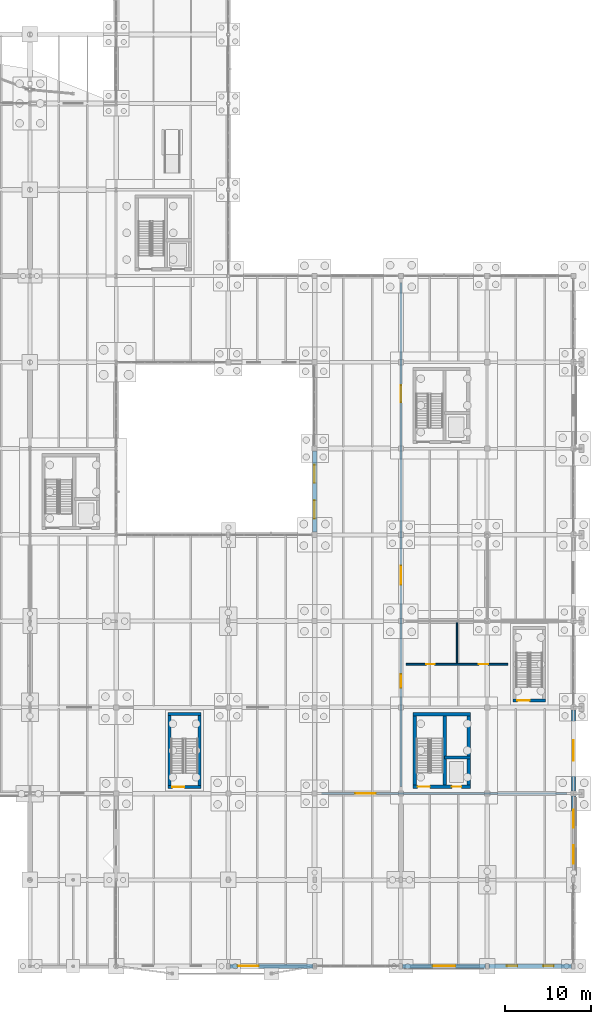
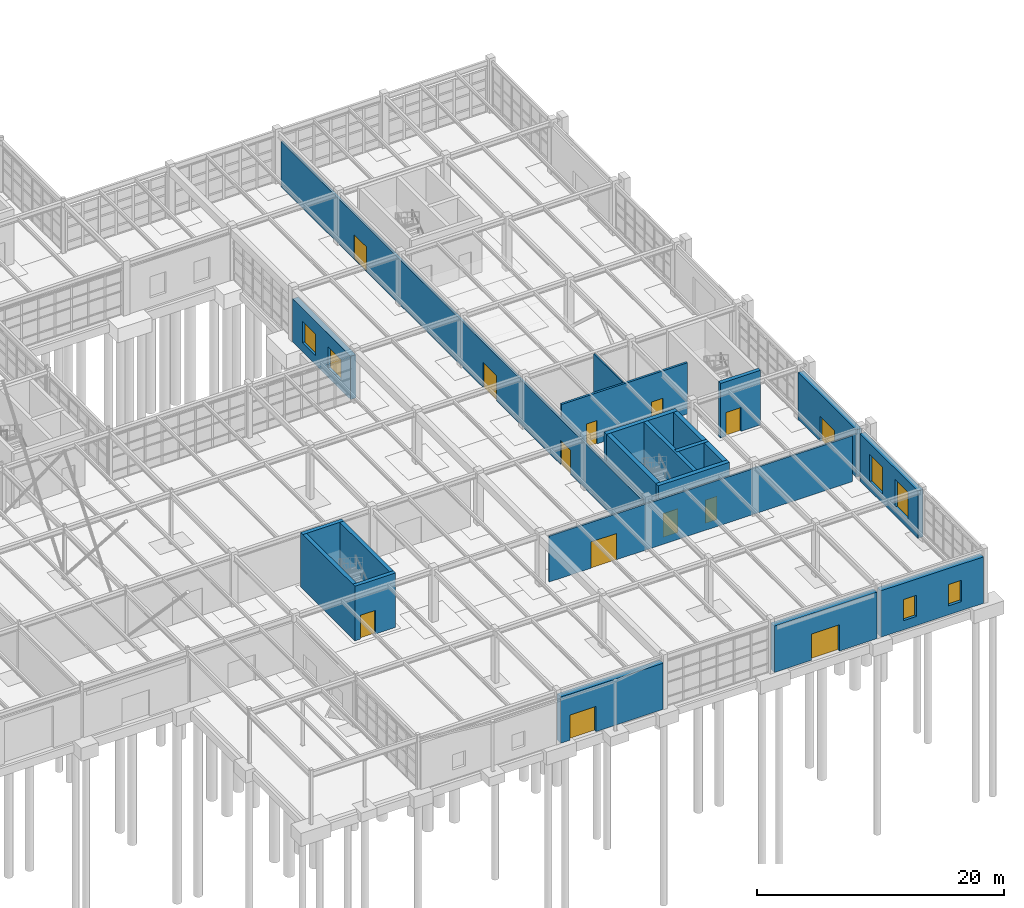
# One storey, part 126 of 145: 21 walls, 13 doors, 6 windows, 19 openings.
"""IFC4 building model written with IfcOpenShell, lengths in metres."""

from ifc_helpers import new_model, si_unit, direction, frame, frame_2d, origin, place, context, subcontext, project, spatial, rectangle, extrude, material, layer, layer_set, type_object, element, fill, save


model = new_model("IFC4")

# Units and contexts
model_context = context("Model", 3, precision=1e-05, world=origin(), true_north=direction((0.0, 1.0)))
body_context = subcontext(model_context, "Body", "Model", "MODEL_VIEW")
ifc_project = project(units=[si_unit("LENGTHUNIT", "METRE"), si_unit("AREAUNIT", "SQUARE_METRE"), si_unit("VOLUMEUNIT", "CUBIC_METRE"), si_unit("PLANEANGLEUNIT", "RADIAN"), si_unit("MASSUNIT", "GRAM", prefix="KILO"), si_unit("THERMODYNAMICTEMPERATUREUNIT", "KELVIN"), si_unit("POWERUNIT", "WATT")], contexts=[model_context])

# Site, building, storey
site_placement = place(None, origin())
site = spatial("IfcSite", under=ifc_project, at=site_placement, CompositionType="ELEMENT")
building_placement = place(site_placement, origin())
building = spatial("IfcBuilding", under=site, at=building_placement, Name="Korenveer Ferry Terminal", CompositionType="ELEMENT")
storey_placement = place(building_placement, origin())
storey = spatial("IfcBuildingStorey", under=building, at=storey_placement, Name="L00", CompositionType="ELEMENT", Elevation=0.0)

# Wall, openings, windows
ifc_material_1 = material(Name="Belgian bluestone plinth masonry", Category="masonry")
ifc_layer_1 = layer(ifc_material_1, 0.5)
ifc_layer_set_1 = layer_set([ifc_layer_1], Name="Belgian bluestone plinth masonry")
wall_type_1 = type_object("IfcWallType", Name="ENV-WL-STN500", PredefinedType="SOLIDWALL", material=ifc_layer_set_1)
wall_1_placement = place(storey_placement, frame((146.0, 50.300048828125, 0.0), z_axis=(0.0, 0.0, 1.0), x_axis=(0.0, 1.0, 0.0)))
wall_1 = element("IfcWall", 1, at=wall_1_placement, inside=storey, type_object=wall_type_1, Name="Exterior facade wall EWL-L00-030", PredefinedType="SOLIDWALL", context=body_context, shape_type="SweptSolid", body=[
    extrude(rectangle(XDim=9.39990234375, YDim=0.5, at=frame_2d((4.699951171875, 0.0))), origin(), (0.0, 0.0, 1.0), 4.2900390625),
])
opening_1_placement = place(wall_1_placement, frame((1.58203125, 0.0, 0.89990234375)))
opening_1 = element("IfcOpeningElement", 2, at=opening_1_placement, cuts=wall_1, Name="Opening WN-25", PredefinedType="OPENING", context=body_context, shape_type="SweptSolid", body=[
    extrude(rectangle(XDim=2.10009765625, YDim=2.10009765625, at=frame_2d((1.050048828125, 1.050048828125))), frame((0.0, 0.260009765625, 0.0), z_axis=(0.0, -1.0, 0.0), x_axis=(1.0, 0.0, 0.0)), (0.0, 0.0, 1.0), 0.52001953125),
])
opening_2_placement = place(wall_1_placement, frame((5.718017578125, 0.0, 0.89990234375)))
opening_2 = element("IfcOpeningElement", 3, at=opening_2_placement, cuts=wall_1, Name="Opening WN-25", PredefinedType="OPENING", context=body_context, shape_type="SweptSolid", body=[
    extrude(rectangle(XDim=2.10009765625, YDim=2.10009765625, at=frame_2d((1.050048828125, 1.050048828125))), frame((0.0, 0.260009765625, 0.0), z_axis=(0.0, -1.0, 0.0), x_axis=(1.0, 0.0, 0.0)), (0.0, 0.0, 1.0), 0.52001953125),
])
ifc_material_2 = material(Name="Low-iron triple glazing in bronze frame", Category="glass")
window_type_1 = type_object("IfcWindowType", Name="ENV-WN-25", PartitioningType="SINGLE_PANEL", PredefinedType="WINDOW", material=ifc_material_2)
window_1_placement = place(opening_1_placement, origin())
window_1 = element("IfcWindow", 4, at=window_1_placement, inside=storey, type_object=window_type_1, Name="Lancet facade window 25", OverallHeight=2.10009765625, OverallWidth=2.10009765625, PartitioningType="SINGLE_PANEL", PredefinedType="WINDOW", context=body_context, shape_type="SweptSolid", body=[
    extrude(rectangle(XDim=2.10009765625, YDim=2.10009765625, at=frame_2d((1.050048828125, 1.050048828125))), frame((0.0, 0.030029296875, 0.0), z_axis=(0.0, -1.0, 0.0), x_axis=(1.0, 0.0, 0.0)), (0.0, 0.0, 1.0), 0.06005859375),
])
fill(opening_1, window_1)
window_2_placement = place(opening_2_placement, origin())
window_2 = element("IfcWindow", 5, at=window_2_placement, inside=storey, type_object=window_type_1, Name="Lancet facade window 26", OverallHeight=2.10009765625, OverallWidth=2.10009765625, PartitioningType="SINGLE_PANEL", PredefinedType="WINDOW", context=body_context, shape_type="SweptSolid", body=[
    extrude(rectangle(XDim=2.10009765625, YDim=2.10009765625, at=frame_2d((1.050048828125, 1.050048828125))), frame((0.0, 0.030029296875, 0.0), z_axis=(0.0, -1.0, 0.0), x_axis=(1.0, 0.0, 0.0)), (0.0, 0.0, 1.0), 0.06005859375),
])
fill(opening_2, window_2)

wall_2_placement = place(storey_placement, frame((176.0, 19.699951171875, 0.0), z_axis=(0.0, 0.0, 1.0), x_axis=(0.0, -1.0, 0.0)))
wall_2 = element("IfcWall", 6, at=wall_2_placement, inside=storey, type_object=wall_type_1, Name="Exterior facade wall EWL-L00-031", PredefinedType="SOLIDWALL", context=body_context, shape_type="SweptSolid", body=[
    extrude(rectangle(XDim=9.375, YDim=0.5, at=frame_2d((4.6875, 0.0))), origin(), (0.0, 0.0, 1.0), 4.68994140625),
])
opening_3_placement = place(wall_2_placement, frame((1.574951171875, 0.0, 0.89990234375)))
opening_3 = element("IfcOpeningElement", 7, at=opening_3_placement, cuts=wall_2, Name="Opening WN-27", PredefinedType="OPENING", context=body_context, shape_type="SweptSolid", body=[
    extrude(rectangle(XDim=2.10009765625, YDim=2.699951171875, at=frame_2d((1.050048828125, 1.35009765625))), frame((0.0, 0.260009765625, 0.0), z_axis=(0.0, -1.0, 0.0), x_axis=(1.0, 0.0, 0.0)), (0.0, 0.0, 1.0), 0.52001953125),
])
opening_4_placement = place(wall_2_placement, frame((5.699951171875, 0.0, 0.89990234375)))
opening_4 = element("IfcOpeningElement", 8, at=opening_4_placement, cuts=wall_2, Name="Opening WN-27", PredefinedType="OPENING", context=body_context, shape_type="SweptSolid", body=[
    extrude(rectangle(XDim=2.10009765625, YDim=2.699951171875, at=frame_2d((1.050048828125, 1.35009765625))), frame((0.0, 0.260009765625, 0.0), z_axis=(0.0, -1.0, 0.0), x_axis=(1.0, 0.0, 0.0)), (0.0, 0.0, 1.0), 0.52001953125),
])
window_type_2 = type_object("IfcWindowType", Name="ENV-WN-27", PartitioningType="SINGLE_PANEL", PredefinedType="WINDOW", material=ifc_material_2)
window_3_placement = place(opening_3_placement, origin())
window_3 = element("IfcWindow", 9, at=window_3_placement, inside=storey, type_object=window_type_2, Name="Lancet facade window 27", OverallHeight=2.699951171875, OverallWidth=2.10009765625, PartitioningType="SINGLE_PANEL", PredefinedType="WINDOW", context=body_context, shape_type="SweptSolid", body=[
    extrude(rectangle(XDim=2.10009765625, YDim=2.699951171875, at=frame_2d((1.050048828125, 1.35009765625))), frame((0.0, 0.030029296875, 0.0), z_axis=(0.0, -1.0, 0.0), x_axis=(1.0, 0.0, 0.0)), (0.0, 0.0, 1.0), 0.06005859375),
])
fill(opening_3, window_3)
window_4_placement = place(opening_4_placement, origin())
window_4 = element("IfcWindow", 10, at=window_4_placement, inside=storey, type_object=window_type_2, Name="Lancet facade window 28", OverallHeight=2.699951171875, OverallWidth=2.10009765625, PartitioningType="SINGLE_PANEL", PredefinedType="WINDOW", context=body_context, shape_type="SweptSolid", body=[
    extrude(rectangle(XDim=2.10009765625, YDim=2.699951171875, at=frame_2d((1.050048828125, 1.35009765625))), frame((0.0, 0.030029296875, 0.0), z_axis=(0.0, -1.0, 0.0), x_axis=(1.0, 0.0, 0.0)), (0.0, 0.0, 1.0), 0.06005859375),
])
fill(opening_4, window_4)

# Wall, opening, door
wall_3_placement = place(storey_placement, frame((176.0, 29.699951171875, 0.0), z_axis=(0.0, 0.0, 1.0), x_axis=(0.0, -1.0, 0.0)))
wall_3 = element("IfcWall", 11, at=wall_3_placement, inside=storey, type_object=wall_type_1, Name="Exterior facade wall EWL-L00-032", PredefinedType="SOLIDWALL", context=body_context, shape_type="SweptSolid", body=[
    extrude(rectangle(XDim=9.39990234375, YDim=0.5, at=frame_2d((4.699951171875, 0.0))), origin(), (0.0, 0.0, 1.0), 4.68994140625),
])
opening_5_placement = place(wall_3_placement, frame((3.5, 0.0, 0.0)))
opening_5 = element("IfcOpeningElement", 12, at=opening_5_placement, cuts=wall_3, Name="Opening E11", PredefinedType="OPENING", context=body_context, shape_type="SweptSolid", body=[
    extrude(rectangle(XDim=2.39990234375, YDim=2.5, at=frame_2d((1.199951171875, 1.25))), frame((0.0, 0.260009765625, 0.0), z_axis=(0.0, -1.0, 0.0), x_axis=(1.0, 0.0, 0.0)), (0.0, 0.0, 1.0), 0.52001953125),
])
ifc_material_3 = material(Name="Thermally broken bronze glazed door", Category="aluminium")
door_type_1 = type_object("IfcDoorType", Name="ENV-DR-EXIT240", OperationType="DOUBLE_DOOR_SINGLE_SWING", PredefinedType="DOOR", material=ifc_material_3)
door_1_placement = place(opening_5_placement, origin())
door_1 = element("IfcDoor", 13, at=door_1_placement, inside=storey, type_object=door_type_1, Name="East Berth Apron Final Exit E11", OperationType="DOUBLE_DOOR_SINGLE_SWING", OverallHeight=2.5, OverallWidth=2.39990234375, PredefinedType="DOOR", context=body_context, shape_type="SweptSolid", body=[
    extrude(rectangle(XDim=2.39990234375, YDim=2.5, at=frame_2d((1.199951171875, 1.25))), frame((0.0, 0.02490234375, 0.0), z_axis=(0.0, -1.0, 0.0), x_axis=(1.0, 0.0, 0.0)), (0.0, 0.0, 1.0), 0.050048828125),
])
fill(opening_5, door_1)

ifc_material_4 = material(Name="Belgian bluestone flood-plinth masonry", Category="masonry")
ifc_layer_2 = layer(ifc_material_4, 0.56005859375)
ifc_layer_set_2 = layer_set([ifc_layer_2], Name="Belgian bluestone flood-plinth masonry")
wall_type_2 = type_object("IfcWallType", Name="ENV-WL-STN560", PredefinedType="SOLIDWALL", material=ifc_layer_set_2)
wall_4_placement = place(storey_placement, frame((136.199951171875, 0.0, 0.0), z_axis=(0.0, 0.0, 1.0), x_axis=(1.0, 0.0, 0.0)))
wall_4 = element("IfcWall", 14, at=wall_4_placement, inside=storey, type_object=wall_type_2, Name="Exterior facade wall EWL-L00-006", PredefinedType="SOLIDWALL", context=body_context, shape_type="SweptSolid", body=[
    extrude(rectangle(XDim=9.60009765625, YDim=0.56005859375, at=frame_2d((4.800048828125, 0.0))), origin(), (0.0, 0.0, 1.0), 4.580078125),
])
opening_6_placement = place(wall_4_placement, frame((0.89990234375, 0.0, 0.0)))
opening_6 = element("IfcOpeningElement", 15, at=opening_6_placement, cuts=wall_4, Name="Opening E07", PredefinedType="OPENING", context=body_context, shape_type="SweptSolid", body=[
    extrude(rectangle(XDim=2.39990234375, YDim=2.5, at=frame_2d((1.199951171875, 1.25))), frame((0.0, 0.2900390625, 0.0), z_axis=(0.0, -1.0, 0.0), x_axis=(1.0, 0.0, 0.0)), (0.0, 0.0, 1.0), 0.580078125),
])
door_2_placement = place(opening_6_placement, origin())
door_2 = element("IfcDoor", 16, at=door_2_placement, inside=storey, type_object=door_type_1, Name="Mobility Kiosk Entrance E07", OperationType="DOUBLE_DOOR_SINGLE_SWING", OverallHeight=2.5, OverallWidth=2.39990234375, PredefinedType="DOOR", context=body_context, shape_type="SweptSolid", body=[
    extrude(rectangle(XDim=2.39990234375, YDim=2.5, at=frame_2d((1.199951171875, 1.25))), frame((0.0, 0.02490234375, 0.0), z_axis=(0.0, -1.0, 0.0), x_axis=(1.0, 0.0, 0.0)), (0.0, 0.0, 1.0), 0.050048828125),
])
fill(opening_6, door_2)

wall_5_placement = place(storey_placement, frame((156.199951171875, 0.0, 0.0), z_axis=(0.0, 0.0, 1.0), x_axis=(1.0, 0.0, 0.0)))
wall_5 = element("IfcWall", 17, at=wall_5_placement, inside=storey, type_object=wall_type_2, Name="Exterior facade wall EWL-L00-007", PredefinedType="SOLIDWALL", context=body_context, shape_type="SweptSolid", body=[
    extrude(rectangle(XDim=9.60009765625, YDim=0.56005859375, at=frame_2d((4.800048828125, 0.0))), origin(), (0.0, 0.0, 1.0), 4.60009765625),
])
opening_7_placement = place(wall_5_placement, frame((3.5, 0.0, 0.0)))
opening_7 = element("IfcOpeningElement", 18, at=opening_7_placement, cuts=wall_5, Name="Opening E08", PredefinedType="OPENING", context=body_context, shape_type="SweptSolid", body=[
    extrude(rectangle(XDim=2.60009765625, YDim=2.60009765625, at=frame_2d((1.300048828125, 1.300048828125))), frame((0.0, 0.2900390625, 0.0), z_axis=(0.0, -1.0, 0.0), x_axis=(1.0, 0.0, 0.0)), (0.0, 0.0, 1.0), 0.580078125),
])
door_type_2 = type_object("IfcDoorType", Name="ENV-DR-EXIT260", OperationType="DOUBLE_DOOR_SINGLE_SWING", PredefinedType="DOOR", material=ifc_material_3)
door_3_placement = place(opening_7_placement, origin())
door_3 = element("IfcDoor", 19, at=door_3_placement, inside=storey, type_object=door_type_2, Name="Ticketing Hall Main Entrance E08", OperationType="DOUBLE_DOOR_SINGLE_SWING", OverallHeight=2.60009765625, OverallWidth=2.60009765625, PredefinedType="DOOR", context=body_context, shape_type="SweptSolid", body=[
    extrude(rectangle(XDim=2.60009765625, YDim=2.60009765625, at=frame_2d((1.300048828125, 1.300048828125))), frame((0.0, 0.02490234375, 0.0), z_axis=(0.0, -1.0, 0.0), x_axis=(1.0, 0.0, 0.0)), (0.0, 0.0, 1.0), 0.050048828125),
])
fill(opening_7, door_3)

# Wall, openings, windows
wall_6_placement = place(storey_placement, frame((166.199951171875, 0.0, 0.0), z_axis=(0.0, 0.0, 1.0), x_axis=(1.0, 0.0, 0.0)))
wall_6 = element("IfcWall", 20, at=wall_6_placement, inside=storey, type_object=wall_type_2, Name="Exterior facade wall EWL-L00-008", PredefinedType="SOLIDWALL", context=body_context, shape_type="SweptSolid", body=[
    extrude(rectangle(XDim=9.60009765625, YDim=0.56005859375, at=frame_2d((4.800048828125, 0.0))), origin(), (0.0, 0.0, 1.0), 4.60009765625),
])
opening_8_placement = place(wall_6_placement, frame((2.087890625, 0.0, 0.89990234375)))
opening_8 = element("IfcOpeningElement", 21, at=opening_8_placement, cuts=wall_6, Name="Opening WN-07", PredefinedType="OPENING", context=body_context, shape_type="SweptSolid", body=[
    extrude(rectangle(XDim=1.199951171875, YDim=2.10009765625, at=frame_2d((0.60009765625, 1.050048828125))), frame((0.0, 0.2900390625, 0.0), z_axis=(0.0, -1.0, 0.0), x_axis=(1.0, 0.0, 0.0)), (0.0, 0.0, 1.0), 0.580078125),
])
opening_9_placement = place(wall_6_placement, frame((6.31201171875, 0.0, 0.89990234375)))
opening_9 = element("IfcOpeningElement", 22, at=opening_9_placement, cuts=wall_6, Name="Opening WN-07", PredefinedType="OPENING", context=body_context, shape_type="SweptSolid", body=[
    extrude(rectangle(XDim=1.199951171875, YDim=2.10009765625, at=frame_2d((0.60009765625, 1.050048828125))), frame((0.0, 0.2900390625, 0.0), z_axis=(0.0, -1.0, 0.0), x_axis=(1.0, 0.0, 0.0)), (0.0, 0.0, 1.0), 0.580078125),
])
window_type_3 = type_object("IfcWindowType", Name="ENV-WN-07", PartitioningType="SINGLE_PANEL", PredefinedType="WINDOW", material=ifc_material_2)
window_5_placement = place(opening_8_placement, origin())
window_5 = element("IfcWindow", 23, at=window_5_placement, inside=storey, type_object=window_type_3, Name="Lancet facade window 7", OverallHeight=2.10009765625, OverallWidth=1.199951171875, PartitioningType="SINGLE_PANEL", PredefinedType="WINDOW", context=body_context, shape_type="SweptSolid", body=[
    extrude(rectangle(XDim=1.199951171875, YDim=2.10009765625, at=frame_2d((0.60009765625, 1.050048828125))), frame((0.0, 0.030029296875, 0.0), z_axis=(0.0, -1.0, 0.0), x_axis=(1.0, 0.0, 0.0)), (0.0, 0.0, 1.0), 0.06005859375),
])
fill(opening_8, window_5)
window_6_placement = place(opening_9_placement, origin())
window_6 = element("IfcWindow", 24, at=window_6_placement, inside=storey, type_object=window_type_3, Name="Lancet facade window 8", OverallHeight=2.10009765625, OverallWidth=1.199951171875, PartitioningType="SINGLE_PANEL", PredefinedType="WINDOW", context=body_context, shape_type="SweptSolid", body=[
    extrude(rectangle(XDim=1.199951171875, YDim=2.10009765625, at=frame_2d((0.60009765625, 1.050048828125))), frame((0.0, 0.030029296875, 0.0), z_axis=(0.0, -1.0, 0.0), x_axis=(1.0, 0.0, 0.0)), (0.0, 0.0, 1.0), 0.06005859375),
])
fill(opening_9, window_6)

# Wall, openings, doors
ifc_material_5 = material(Name="Acoustic fire-rated twin-stud partition", Category="other")
ifc_layer_3 = layer(ifc_material_5, 0.199951171875)
ifc_layer_set_3 = layer_set([ifc_layer_3], Name="Acoustic fire-rated twin-stud partition")
wall_type_3 = type_object("IfcWallType", Name="INT-WL-COMP200", PredefinedType="PARTITIONING", material=ifc_layer_set_3)
wall_7_placement = place(storey_placement, frame((156.0, 20.800048828125, 0.0), z_axis=(0.0, 0.0, 1.0), x_axis=(0.0, 1.0, 0.0)))
wall_7 = element("IfcWall", 25, at=wall_7_placement, inside=storey, type_object=wall_type_3, Name="Interior partition PWL-L00-018", PredefinedType="PARTITIONING", context=body_context, shape_type="SweptSolid", body=[
    extrude(rectangle(XDim=58.39990234375, YDim=0.199951171875, at=frame_2d((29.199951171875, 0.0))), origin(), (0.0, 0.0, 1.0), 4.489990234375),
])
opening_10_placement = place(wall_7_placement, frame((11.464111328125, 0.0, 0.0)))
opening_10 = element("IfcOpeningElement", 26, at=opening_10_placement, cuts=wall_7, Name="Opening ID-021", PredefinedType="OPENING", context=body_context, shape_type="SweptSolid", body=[
    extrude(rectangle(XDim=1.60009765625, YDim=2.39990234375, at=frame_2d((0.800048828125, 1.199951171875))), frame((0.0, 0.10986328125, 0.0), z_axis=(0.0, -1.0, 0.0), x_axis=(1.0, 0.0, 0.0)), (0.0, 0.0, 1.0), 0.219970703125),
])
opening_11_placement = place(wall_7_placement, frame((23.427978515625, 0.0, 0.0)))
opening_11 = element("IfcOpeningElement", 27, at=opening_11_placement, cuts=wall_7, Name="Opening ID-022", PredefinedType="OPENING", context=body_context, shape_type="SweptSolid", body=[
    extrude(rectangle(XDim=2.199951171875, YDim=2.5, at=frame_2d((1.10009765625, 1.25))), frame((0.0, 0.10986328125, 0.0), z_axis=(0.0, -1.0, 0.0), x_axis=(1.0, 0.0, 0.0)), (0.0, 0.0, 1.0), 0.219970703125),
])
opening_12_placement = place(wall_7_placement, frame((44.552001953125, 0.0, 0.0)))
opening_12 = element("IfcOpeningElement", 28, at=opening_12_placement, cuts=wall_7, Name="Opening ID-023", PredefinedType="OPENING", context=body_context, shape_type="SweptSolid", body=[
    extrude(rectangle(XDim=2.0, YDim=2.449951171875, at=frame_2d((1.0, 1.22509765625))), frame((0.0, 0.10986328125, 0.0), z_axis=(0.0, -1.0, 0.0), x_axis=(1.0, 0.0, 0.0)), (0.0, 0.0, 1.0), 0.219970703125),
])
ifc_material_6 = material(Name="Solid hardwood and steel acoustic door", Category="steel")
door_type_3 = type_object("IfcDoorType", Name="INT-DR-CON200", OperationType="DOUBLE_DOOR_SINGLE_SWING", PredefinedType="DOOR", material=ifc_material_6)
door_4_placement = place(opening_12_placement, origin())
door_4 = element("IfcDoor", 29, at=door_4_placement, inside=storey, type_object=door_type_3, Name="Passenger Information Lounge Door", OperationType="DOUBLE_DOOR_SINGLE_SWING", OverallHeight=2.449951171875, OverallWidth=2.0, PredefinedType="DOOR", context=body_context, shape_type="SweptSolid", body=[
    extrude(rectangle(XDim=2.0, YDim=2.449951171875, at=frame_2d((1.0, 1.22509765625))), frame((0.0, 0.02490234375, 0.0), z_axis=(0.0, -1.0, 0.0), x_axis=(1.0, 0.0, 0.0)), (0.0, 0.0, 1.0), 0.050048828125),
])
fill(opening_12, door_4)
door_type_4 = type_object("IfcDoorType", Name="INT-DR-CON220", OperationType="DOUBLE_DOOR_SINGLE_SWING", PredefinedType="DOOR", material=ifc_material_6)
door_5_placement = place(opening_11_placement, origin())
door_5 = element("IfcDoor", 30, at=door_5_placement, inside=storey, type_object=door_type_4, Name="Maritime Travel Shop Entrance", OperationType="DOUBLE_DOOR_SINGLE_SWING", OverallHeight=2.5, OverallWidth=2.199951171875, PredefinedType="DOOR", context=body_context, shape_type="SweptSolid", body=[
    extrude(rectangle(XDim=2.199951171875, YDim=2.5, at=frame_2d((1.10009765625, 1.25))), frame((0.0, 0.02490234375, 0.0), z_axis=(0.0, -1.0, 0.0), x_axis=(1.0, 0.0, 0.0)), (0.0, 0.0, 1.0), 0.050048828125),
])
fill(opening_11, door_5)
door_type_5 = type_object("IfcDoorType", Name="INT-DR-FFL160", OperationType="DOUBLE_DOOR_SINGLE_SWING", PredefinedType="DOOR", material=ifc_material_6)
door_6_placement = place(opening_10_placement, origin())
door_6 = element("IfcDoor", 31, at=door_6_placement, inside=storey, type_object=door_type_5, Name="L00 East Firefighting Lobby Door", OperationType="DOUBLE_DOOR_SINGLE_SWING", OverallHeight=2.39990234375, OverallWidth=1.60009765625, PredefinedType="DOOR", context=body_context, shape_type="SweptSolid", body=[
    extrude(rectangle(XDim=1.60009765625, YDim=2.39990234375, at=frame_2d((0.800048828125, 1.199951171875))), frame((0.0, 0.02490234375, 0.0), z_axis=(0.0, -1.0, 0.0), x_axis=(1.0, 0.0, 0.0)), (0.0, 0.0, 1.0), 0.050048828125),
])
fill(opening_10, door_6)

wall_8_placement = place(storey_placement, frame((156.60009765625, 35.0, 0.0), z_axis=(0.0, 0.0, 1.0), x_axis=(1.0, 0.0, 0.0)))
wall_8 = element("IfcWall", 32, at=wall_8_placement, inside=storey, type_object=wall_type_3, Name="Interior partition PWL-L00-020", PredefinedType="PARTITIONING", context=body_context, shape_type="SweptSolid", body=[
    extrude(rectangle(XDim=11.7998046875, YDim=0.199951171875, at=frame_2d((5.89990234375, 0.0))), origin(), (0.0, 0.0, 1.0), 5.06005859375),
])
opening_13_placement = place(wall_8_placement, frame((2.342041015625, 0.0, 0.0)))
opening_13 = element("IfcOpeningElement", 33, at=opening_13_placement, cuts=wall_8, Name="Opening ID-025", PredefinedType="OPENING", context=body_context, shape_type="SweptSolid", body=[
    extrude(rectangle(XDim=0.97998046875, YDim=2.300048828125, at=frame_2d((0.489990234375, 1.14990234375))), frame((0.0, 0.10986328125, 0.0), z_axis=(0.0, -1.0, 0.0), x_axis=(1.0, 0.0, 0.0)), (0.0, 0.0, 1.0), 0.219970703125),
])
opening_14_placement = place(wall_8_placement, frame((8.427978515625, 0.0, 0.0)))
opening_14 = element("IfcOpeningElement", 34, at=opening_14_placement, cuts=wall_8, Name="Opening ID-026", PredefinedType="OPENING", context=body_context, shape_type="SweptSolid", body=[
    extrude(rectangle(XDim=1.080078125, YDim=2.35009765625, at=frame_2d((0.5400390625, 1.175048828125))), frame((0.0, 0.10986328125, 0.0), z_axis=(0.0, -1.0, 0.0), x_axis=(1.0, 0.0, 0.0)), (0.0, 0.0, 1.0), 0.219970703125),
])
door_type_6 = type_object("IfcDoorType", Name="INT-DR-AWC108", OperationType="NOTDEFINED", PredefinedType="DOOR", material=ifc_material_6)
door_7_placement = place(opening_14_placement, origin())
door_7 = element("IfcDoor", 35, at=door_7_placement, inside=storey, type_object=door_type_6, Name="L00 East Accessible WC Door", OperationType="SINGLE_SWING_LEFT", OverallHeight=2.35009765625, OverallWidth=1.080078125, PredefinedType="DOOR", context=body_context, shape_type="SweptSolid", body=[
    extrude(rectangle(XDim=1.080078125, YDim=2.35009765625, at=frame_2d((0.5400390625, 1.175048828125))), frame((0.0, 0.02490234375, 0.0), z_axis=(0.0, -1.0, 0.0), x_axis=(1.0, 0.0, 0.0)), (0.0, 0.0, 1.0), 0.050048828125),
])
fill(opening_14, door_7)
door_type_7 = type_object("IfcDoorType", Name="INT-DR-WC098", OperationType="NOTDEFINED", PredefinedType="DOOR", material=ifc_material_6)
door_8_placement = place(opening_13_placement, origin())
door_8 = element("IfcDoor", 36, at=door_8_placement, inside=storey, type_object=door_type_7, Name="L00 East Public WC Door", OperationType="SINGLE_SWING_RIGHT", OverallHeight=2.300048828125, OverallWidth=0.97998046875, PredefinedType="DOOR", context=body_context, shape_type="SweptSolid", body=[
    extrude(rectangle(XDim=0.97998046875, YDim=2.300048828125, at=frame_2d((0.489990234375, 1.14990234375))), frame((0.0, 0.02490234375, 0.0), z_axis=(0.0, -1.0, 0.0), x_axis=(1.0, 0.0, 0.0)), (0.0, 0.0, 1.0), 0.050048828125),
])
fill(opening_13, door_8)

# Walls
ifc_material_7 = material(Name="Concrete C45/55", Category="concrete")
ifc_layer_4 = layer(ifc_material_7, 0.360107421875)
ifc_layer_set_4 = layer_set([ifc_layer_4], Name="Concrete C45/55")
wall_type_4 = type_object("IfcWallType", Name="INT-WL-CORE360", PredefinedType="SHEAR", material=ifc_layer_set_4)
wall_9_placement = place(storey_placement, frame((161.080078125, 20.60009765625, 0.0), z_axis=(0.0, 0.0, 1.0), x_axis=(0.0, 1.0, 0.0)))
element("IfcWall", 37, at=wall_9_placement, inside=storey, type_object=wall_type_4, Name="East Firefighting Core K3 shaft divider wall L00", PredefinedType="SHEAR", context=body_context, shape_type="SweptSolid", body=[
    extrude(rectangle(XDim=8.7998046875, YDim=0.360107421875, at=frame_2d((4.39990234375, 0.0))), origin(), (0.0, 0.0, 1.0), 5.39990234375),
])
wall_10_placement = place(storey_placement, frame((161.080078125, 24.179931640625, 0.0), z_axis=(0.0, 0.0, 1.0), x_axis=(1.0, 0.0, 0.0)))
element("IfcWall", 38, at=wall_10_placement, inside=storey, type_object=wall_type_4, Name="East Firefighting Core K3 lift shaft wall L00", PredefinedType="SHEAR", context=body_context, shape_type="SweptSolid", body=[
    extrude(rectangle(XDim=2.97998046875, YDim=0.360107421875, at=frame_2d((1.489990234375, 0.0))), origin(), (0.0, 0.0, 1.0), 5.39990234375),
])

# Wall, opening, door
wall_11_placement = place(storey_placement, frame((129.0, 20.780029296875, 0.0), z_axis=(0.0, 0.0, 1.0), x_axis=(1.0, 0.0, 0.0)))
wall_11 = element("IfcWall", 39, at=wall_11_placement, inside=storey, type_object=wall_type_4, Name="Arrivals East Stair Core K10 south shear wall L00", PredefinedType="SHEAR", context=body_context, shape_type="SweptSolid", body=[
    extrude(rectangle(XDim=3.820068359375, YDim=0.360107421875, at=frame_2d((1.91015625, 0.0))), origin(), (0.0, 0.0, 1.0), 5.39990234375),
])
opening_15_placement = place(wall_11_placement, frame((0.510009765625, 0.0, 0.0)))
opening_15 = element("IfcOpeningElement", 40, at=opening_15_placement, cuts=wall_11, Name="Opening SD-32", PredefinedType="OPENING", context=body_context, shape_type="SweptSolid", body=[
    extrude(rectangle(XDim=1.39990234375, YDim=2.35009765625, at=frame_2d((0.699951171875, 1.175048828125))), frame((0.0, 0.18994140625, 0.0), z_axis=(0.0, -1.0, 0.0), x_axis=(1.0, 0.0, 0.0)), (0.0, 0.0, 1.0), 0.380126953125),
])
door_type_8 = type_object("IfcDoorType", Name="INT-DR-ST140", OperationType="NOTDEFINED", PredefinedType="DOOR", material=ifc_material_6)
door_9_placement = place(opening_15_placement, origin())
door_9 = element("IfcDoor", 41, at=door_9_placement, inside=storey, type_object=door_type_8, Name="ST10 Stair Door L00", OperationType="SINGLE_SWING_RIGHT", OverallHeight=2.35009765625, OverallWidth=1.39990234375, PredefinedType="DOOR", context=body_context, shape_type="SweptSolid", body=[
    extrude(rectangle(XDim=1.39990234375, YDim=2.35009765625, at=frame_2d((0.699951171875, 1.175048828125))), frame((0.0, 0.02490234375, 0.0), z_axis=(0.0, -1.0, 0.0), x_axis=(1.0, 0.0, 0.0)), (0.0, 0.0, 1.0), 0.050048828125),
])
fill(opening_15, door_9)

# Walls
wall_12_placement = place(storey_placement, frame((129.0, 29.219970703125, 0.0), z_axis=(0.0, 0.0, 1.0), x_axis=(1.0, 0.0, 0.0)))
element("IfcWall", 42, at=wall_12_placement, inside=storey, type_object=wall_type_4, Name="Arrivals East Stair Core K10 north shear wall L00", PredefinedType="SHEAR", context=body_context, shape_type="SweptSolid", body=[
    extrude(rectangle(XDim=3.820068359375, YDim=0.360107421875, at=frame_2d((1.91015625, 0.0))), origin(), (0.0, 0.0, 1.0), 5.39990234375),
])
for number, where, z_axis, x_axis, name in (
    (43, (129.179931640625, 20.60009765625, 0.0), (0.0, 0.0, 1.0), (0.0, 1.0, 0.0), "Arrivals East Stair Core K10 west shear wall L00"),
    (44, (132.639892578125, 20.60009765625, 0.0), (0.0, 0.0, 1.0), (0.0, 1.0, 0.0), "Arrivals East Stair Core K10 east shear wall L00"),
):
    element("IfcWall", number, at=place(storey_placement, frame(where, z_axis=z_axis, x_axis=x_axis)), inside=storey, type_object=wall_type_4, Name=name, PredefinedType="SHEAR", context=body_context, shape_type="SweptSolid", body=[
        extrude(rectangle(XDim=8.7998046875, YDim=0.360107421875, at=frame_2d((4.39990234375, 0.0))), origin(), (0.0, 0.0, 1.0), 5.39990234375),
    ])

# Wall, opening, door
wall_13_placement = place(storey_placement, frame((169.0, 30.780029296875, 0.0), z_axis=(0.0, 0.0, 1.0), x_axis=(1.0, 0.0, 0.0)))
wall_13 = element("IfcWall", 45, at=wall_13_placement, inside=storey, type_object=wall_type_4, Name="Schengen South Stair Core K12 south shear wall L00", PredefinedType="SHEAR", context=body_context, shape_type="SweptSolid", body=[
    extrude(rectangle(XDim=3.760009765625, YDim=0.360107421875, at=frame_2d((1.8798828125, 0.0))), origin(), (0.0, 0.0, 1.0), 5.39990234375),
])
opening_16_placement = place(wall_13_placement, frame((0.510009765625, 0.0, 0.0)))
opening_16 = element("IfcOpeningElement", 46, at=opening_16_placement, cuts=wall_13, Name="Opening SD-39", PredefinedType="OPENING", context=body_context, shape_type="SweptSolid", body=[
    extrude(rectangle(XDim=1.39990234375, YDim=2.35009765625, at=frame_2d((0.699951171875, 1.175048828125))), frame((0.0, 0.18994140625, 0.0), z_axis=(0.0, -1.0, 0.0), x_axis=(1.0, 0.0, 0.0)), (0.0, 0.0, 1.0), 0.380126953125),
])
door_10_placement = place(opening_16_placement, origin())
door_10 = element("IfcDoor", 47, at=door_10_placement, inside=storey, type_object=door_type_8, Name="ST12 Stair Door L00", OperationType="SINGLE_SWING_LEFT", OverallHeight=2.35009765625, OverallWidth=1.39990234375, PredefinedType="DOOR", context=body_context, shape_type="SweptSolid", body=[
    extrude(rectangle(XDim=1.39990234375, YDim=2.35009765625, at=frame_2d((0.699951171875, 1.175048828125))), frame((0.0, 0.02490234375, 0.0), z_axis=(0.0, -1.0, 0.0), x_axis=(1.0, 0.0, 0.0)), (0.0, 0.0, 1.0), 0.050048828125),
])
fill(opening_16, door_10)

# Wall, openings, doors
ifc_layer_5 = layer(ifc_material_7, 0.39990234375)
ifc_layer_set_5 = layer_set([ifc_layer_5], Name="Concrete C45/55")
wall_type_5 = type_object("IfcWallType", Name="INT-WL-CORE400", PredefinedType="SHEAR", material=ifc_layer_set_5)
wall_14_placement = place(storey_placement, frame((157.39990234375, 20.800048828125, 0.0), z_axis=(0.0, 0.0, 1.0), x_axis=(1.0, 0.0, 0.0)))
wall_14 = element("IfcWall", 48, at=wall_14_placement, inside=storey, type_object=wall_type_5, Name="East Firefighting Core K3 south shear wall L00", PredefinedType="SHEAR", context=body_context, shape_type="SweptSolid", body=[
    extrude(rectangle(XDim=6.66015625, YDim=0.39990234375, at=frame_2d((3.330078125, 0.0))), origin(), (0.0, 0.0, 1.0), 5.39990234375),
])
opening_17_placement = place(wall_14_placement, frame((0.550048828125, 0.0, 0.0)))
opening_17 = element("IfcOpeningElement", 49, at=opening_17_placement, cuts=wall_14, Name="Opening SD-11", PredefinedType="OPENING", context=body_context, shape_type="SweptSolid", body=[
    extrude(rectangle(XDim=1.39990234375, YDim=2.35009765625, at=frame_2d((0.699951171875, 1.175048828125))), frame((0.0, 0.2099609375, 0.0), z_axis=(0.0, -1.0, 0.0), x_axis=(1.0, 0.0, 0.0)), (0.0, 0.0, 1.0), 0.419921875),
])
opening_18_placement = place(wall_14_placement, frame((4.510009765625, 0.0, 0.0)))
opening_18 = element("IfcOpeningElement", 50, at=opening_18_placement, cuts=wall_14, Name="Opening LD-11", PredefinedType="OPENING", context=body_context, shape_type="SweptSolid", body=[
    extrude(rectangle(XDim=1.10009765625, YDim=2.300048828125, at=frame_2d((0.550048828125, 1.14990234375))), frame((0.0, 0.2099609375, 0.0), z_axis=(0.0, -1.0, 0.0), x_axis=(1.0, 0.0, 0.0)), (0.0, 0.0, 1.0), 0.419921875),
])
door_type_9 = type_object("IfcDoorType", Name="INT-DR-LD110", OperationType="SLIDING_TO_LEFT", PredefinedType="DOOR", material=ifc_material_6)
door_11_placement = place(opening_18_placement, origin())
door_11 = element("IfcDoor", 51, at=door_11_placement, inside=storey, type_object=door_type_9, Name="Lift FL2 Sliding Landing Door L00", OperationType="SLIDING_TO_LEFT", OverallHeight=2.300048828125, OverallWidth=1.10009765625, PredefinedType="DOOR", context=body_context, shape_type="SweptSolid", body=[
    extrude(rectangle(XDim=1.10009765625, YDim=2.300048828125, at=frame_2d((0.550048828125, 1.14990234375))), frame((0.0, 0.02490234375, 0.0), z_axis=(0.0, -1.0, 0.0), x_axis=(1.0, 0.0, 0.0)), (0.0, 0.0, 1.0), 0.050048828125),
])
fill(opening_18, door_11)
door_12_placement = place(opening_17_placement, origin())
door_12 = element("IfcDoor", 52, at=door_12_placement, inside=storey, type_object=door_type_8, Name="ST03 Stair Door L00", OperationType="SINGLE_SWING_LEFT", OverallHeight=2.35009765625, OverallWidth=1.39990234375, PredefinedType="DOOR", context=body_context, shape_type="SweptSolid", body=[
    extrude(rectangle(XDim=1.39990234375, YDim=2.35009765625, at=frame_2d((0.699951171875, 1.175048828125))), frame((0.0, 0.02490234375, 0.0), z_axis=(0.0, -1.0, 0.0), x_axis=(1.0, 0.0, 0.0)), (0.0, 0.0, 1.0), 0.050048828125),
])
fill(opening_17, door_12)

# Walls
wall_15_placement = place(storey_placement, frame((157.39990234375, 29.199951171875, 0.0), z_axis=(0.0, 0.0, 1.0), x_axis=(1.0, 0.0, 0.0)))
element("IfcWall", 53, at=wall_15_placement, inside=storey, type_object=wall_type_5, Name="East Firefighting Core K3 north shear wall L00", PredefinedType="SHEAR", context=body_context, shape_type="SweptSolid", body=[
    extrude(rectangle(XDim=6.66015625, YDim=0.39990234375, at=frame_2d((3.330078125, 0.0))), origin(), (0.0, 0.0, 1.0), 5.39990234375),
])
for number, where, z_axis, x_axis, name in (
    (54, (157.60009765625, 20.60009765625, 0.0), (0.0, 0.0, 1.0), (0.0, 1.0, 0.0), "East Firefighting Core K3 west shear wall L00"),
    (55, (163.860107421875, 20.60009765625, 0.0), (0.0, 0.0, 1.0), (0.0, 1.0, 0.0), "East Firefighting Core K3 east shear wall L00"),
):
    element("IfcWall", number, at=place(storey_placement, frame(where, z_axis=z_axis, x_axis=x_axis)), inside=storey, type_object=wall_type_5, Name=name, PredefinedType="SHEAR", context=body_context, shape_type="SweptSolid", body=[
        extrude(rectangle(XDim=8.7998046875, YDim=0.39990234375, at=frame_2d((4.39990234375, 0.0))), origin(), (0.0, 0.0, 1.0), 5.39990234375),
    ])
ifc_material_8 = material(Name="Lightweight wet-room stud partition", Category="other")
ifc_layer_6 = layer(ifc_material_8, 0.1201171875)
ifc_layer_set_6 = layer_set([ifc_layer_6], Name="Lightweight wet-room stud partition")
wall_type_6 = type_object("IfcWallType", Name="INT-WL-PART120", PredefinedType="PARTITIONING", material=ifc_layer_set_6)
wall_16_placement = place(storey_placement, frame((162.5, 35.199951171875, 0.0), z_axis=(0.0, 0.0, 1.0), x_axis=(0.0, 1.0, 0.0)))
element("IfcWall", 56, at=wall_16_placement, inside=storey, type_object=wall_type_6, Name="Interior partition PWL-L00-021", PredefinedType="PARTITIONING", context=body_context, shape_type="SweptSolid", body=[
    extrude(rectangle(XDim=4.60009765625, YDim=0.1201171875, at=frame_2d((2.300048828125, 0.0))), origin(), (0.0, 0.0, 1.0), 5.06005859375),
])

# Wall, opening, door
ifc_material_9 = material(Name="Acoustic gypsum board stud partition", Category="other")
ifc_layer_7 = layer(ifc_material_9, 0.14990234375)
ifc_layer_set_7 = layer_set([ifc_layer_7], Name="Acoustic gypsum board stud partition")
wall_type_7 = type_object("IfcWallType", Name="INT-WL-PART150", PredefinedType="PARTITIONING", material=ifc_layer_set_7)
wall_17_placement = place(storey_placement, frame((146.800048828125, 20.0, 0.0), z_axis=(0.0, 0.0, 1.0), x_axis=(1.0, 0.0, 0.0)))
wall_17 = element("IfcWall", 57, at=wall_17_placement, inside=storey, type_object=wall_type_7, Name="Interior partition PWL-L00-019", PredefinedType="PARTITIONING", context=body_context, shape_type="SweptSolid", body=[
    extrude(rectangle(XDim=28.39990234375, YDim=0.14990234375, at=frame_2d((14.199951171875, 0.0))), origin(), (0.0, 0.0, 1.0), 4.5400390625),
])
opening_19_placement = place(wall_17_placement, frame((3.912109375, 0.0, 0.0)))
opening_19 = element("IfcOpeningElement", 58, at=opening_19_placement, cuts=wall_17, Name="Opening ID-024", PredefinedType="OPENING", context=body_context, shape_type="SweptSolid", body=[
    extrude(rectangle(XDim=2.39990234375, YDim=2.60009765625, at=frame_2d((1.199951171875, 1.300048828125))), frame((0.0, 0.0849609375, 0.0), z_axis=(0.0, -1.0, 0.0), x_axis=(1.0, 0.0, 0.0)), (0.0, 0.0, 1.0), 0.169921875),
])
door_type_10 = type_object("IfcDoorType", Name="INT-DR-CON240U", OperationType="DOUBLE_DOOR_SINGLE_SWING", PredefinedType="DOOR", material=ifc_material_6)
door_13_placement = place(opening_19_placement, origin())
door_13 = element("IfcDoor", 59, at=door_13_placement, inside=storey, type_object=door_type_10, Name="Ticketing Hall North Portal", OperationType="DOUBLE_DOOR_SINGLE_SWING", OverallHeight=2.60009765625, OverallWidth=2.39990234375, PredefinedType="DOOR", context=body_context, shape_type="SweptSolid", body=[
    extrude(rectangle(XDim=2.39990234375, YDim=2.60009765625, at=frame_2d((1.199951171875, 1.300048828125))), frame((0.0, 0.02490234375, 0.0), z_axis=(0.0, -1.0, 0.0), x_axis=(1.0, 0.0, 0.0)), (0.0, 0.0, 1.0), 0.050048828125),
])
fill(opening_19, door_13)

save(model, "model.ifc")
